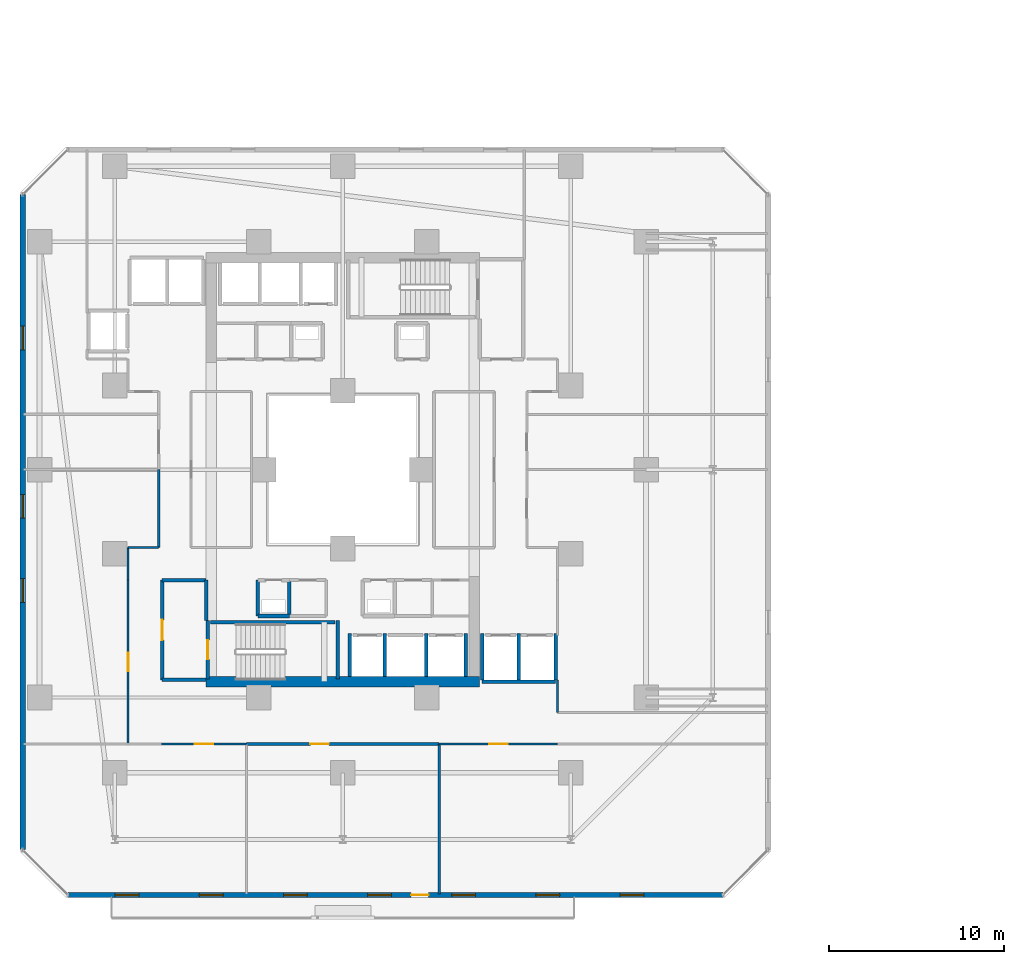
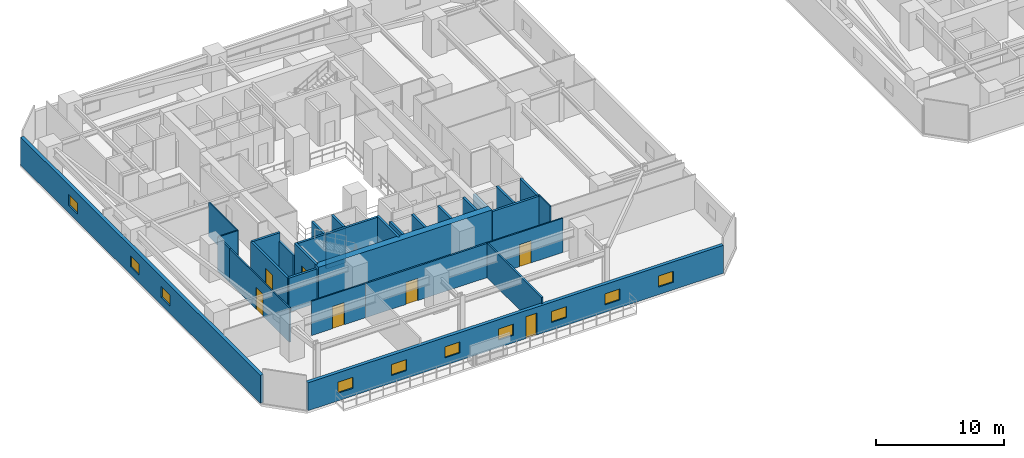
# One storey, part 21 of 36: 30 walls, 10 windows, 7 doors, 17 openings.
"""IFC4 building model written with IfcOpenShell, lengths in metres."""

from ifc_helpers import new_model, si_unit, direction, frame, frame_2d, origin, place, context, subcontext, project, spatial, rectangle, extrude, material, layer, layer_set, type_object, element, fill, save


model = new_model("IFC4")

# Units and contexts
model_context = context("Model", 3, precision=1e-05, world=origin(), true_north=direction((0.0, 1.0)))
body_context = subcontext(model_context, "Body", "Model", "MODEL_VIEW")
ifc_project = project(units=[si_unit("LENGTHUNIT", "METRE"), si_unit("AREAUNIT", "SQUARE_METRE"), si_unit("VOLUMEUNIT", "CUBIC_METRE"), si_unit("PLANEANGLEUNIT", "RADIAN"), si_unit("MASSUNIT", "GRAM", prefix="KILO")], contexts=[model_context])

# Site, building, storey
site_placement = place(None, origin())
site = spatial("IfcSite", under=ifc_project, at=site_placement, CompositionType="ELEMENT")
building_placement = place(site_placement, origin())
building = spatial("IfcBuilding", under=site, at=building_placement, Name="Thornwick Lancets Civic Towers", CompositionType="ELEMENT")
storey_placement = place(building_placement, frame((0.0, 0.0, 68.10009765625)))
storey = spatial("IfcBuildingStorey", under=building, at=storey_placement, Name="L17", CompositionType="ELEMENT", Elevation=68.10009765625)

# Walls
ifc_material_1 = material(Name="Concrete blockwork C40/50", Category="masonry")
ifc_layer_1 = layer(ifc_material_1, 0.199951171875, Name="Concrete blockwork C40/50")
ifc_layer_set_1 = layer_set([ifc_layer_1], Name="Concrete blockwork C40/50")
wall_type_1 = type_object("IfcWallType", Name="WALL_COMP_200", PredefinedType="STANDARD", material=ifc_layer_set_1)
for number, where, z_axis, x_axis, name in (
    (1, (27.89990234375, 15.2119140625, 0.0), (0.0, 0.0, 1.0), (0.0, 1.0, 0.0), "L17 Hoistway Shaft Wall FL-A1 E"),
    (2, (25.89990234375, 15.2119140625, 0.0), (0.0, 0.0, 1.0), (0.0, 1.0, 0.0), "L17 Hoistway Shaft Wall FL-A1 W"),
    (3, (30.25, 15.2119140625, 0.0), (0.0, 0.0, 1.0), (0.0, 1.0, 0.0), "L17 Hoistway Shaft Wall PL-AH1 E"),
    (4, (32.5, 15.2119140625, 0.0), (0.0, 0.0, 1.0), (0.0, 1.0, 0.0), "L17 Hoistway Shaft Wall PL-AL1 E"),
):
    element("IfcWall", number, at=place(storey_placement, frame(where, z_axis=z_axis, x_axis=x_axis)), inside=storey, type_object=wall_type_1, Name=name, PredefinedType="STANDARD", context=body_context, shape_type="SweptSolid", body=[
        extrude(rectangle(XDim=2.43603515625, YDim=0.199951171875, at=frame_2d((1.218017578125, 0.0))), origin(), (0.0, 0.0, 1.0), 3.260009765625),
    ])
wall_1_placement = place(storey_placement, frame((33.451904296875, 14.89990234375, 0.0), z_axis=(0.0, 0.0, 1.0), x_axis=(1.0, 0.0, 0.0)))
element("IfcWall", 5, at=wall_1_placement, inside=storey, type_object=wall_type_1, Name="L17 Hoistway Shaft Wall PL-AL2 S", PredefinedType="STANDARD", context=body_context, shape_type="SweptSolid", body=[
    extrude(rectangle(XDim=4.196044921875, YDim=0.199951171875, at=frame_2d((2.09814453125, 0.0))), origin(), (0.0, 0.0, 1.0), 3.260009765625),
])
for number, where, z_axis, x_axis, name in (
    (6, (35.52490234375, 15.011962890625, 0.0), (0.0, 0.0, 1.0), (0.0, 1.0, 0.0), "L17 Hoistway Shaft Wall PL-AL2 E"),
    (7, (33.449951171875, 15.011962890625, 0.0), (0.0, 0.0, 1.0), (0.0, 1.0, 0.0), "L17 Hoistway Shaft Wall PL-AL2 W"),
    (8, (37.64990234375, 15.011962890625, 0.0), (0.0, 0.0, 1.0), (0.0, 1.0, 0.0), "L17 Hoistway Shaft Wall PL-AL3 E"),
):
    element("IfcWall", number, at=place(storey_placement, frame(where, z_axis=z_axis, x_axis=x_axis)), inside=storey, type_object=wall_type_1, Name=name, PredefinedType="STANDARD", context=body_context, shape_type="SweptSolid", body=[
        extrude(rectangle(XDim=2.635986328125, YDim=0.199951171875, at=frame_2d((1.31787109375, 0.0))), origin(), (0.0, 0.0, 1.0), 3.260009765625),
    ])
wall_2_placement = place(storey_placement, frame((15.199951171875, 15.0, 0.0), z_axis=(0.0, 0.0, 1.0), x_axis=(1.0, 0.0, 0.0)))
element("IfcWall", 9, at=wall_2_placement, inside=storey, type_object=wall_type_1, Name="L17 Partition L17-A-FFLOB1 E1", PredefinedType="STANDARD", context=body_context, shape_type="SweptSolid", body=[
    extrude(rectangle(XDim=2.5, YDim=0.199951171875, at=frame_2d((1.25, 0.0))), origin(), (0.0, 0.0, 1.0), 3.260009765625),
])
wall_3_placement = place(storey_placement, frame((17.699951171875, 18.39990234375, 0.0), z_axis=(0.0, 0.0, 1.0), x_axis=(0.0, 1.0, 0.0)))
element("IfcWall", 10, at=wall_3_placement, inside=storey, type_object=wall_type_1, Name="L17 Partition L17-A-FFLOB1 E2", PredefinedType="STANDARD", context=body_context, shape_type="SweptSolid", body=[
    extrude(rectangle(XDim=2.300048828125, YDim=0.199951171875, at=frame_2d((1.14990234375, 0.0))), origin(), (0.0, 0.0, 1.0), 2.46484375),
])
wall_4_placement = place(storey_placement, frame((17.699951171875, 20.699951171875, 0.0), z_axis=(0.0, 0.0, 1.0), x_axis=(-1.0, 0.0, 0.0)))
element("IfcWall", 11, at=wall_4_placement, inside=storey, type_object=wall_type_1, Name="L17 Partition L17-A-FFLOB1 E3", PredefinedType="STANDARD", context=body_context, shape_type="SweptSolid", body=[
    extrude(rectangle(XDim=2.5, YDim=0.199951171875, at=frame_2d((1.25, 0.0))), origin(), (0.0, 0.0, 1.0), 3.260009765625),
])

# Wall, opening, door
wall_5_placement = place(storey_placement, frame((15.199951171875, 20.699951171875, 0.0), z_axis=(0.0, 0.0, 1.0), x_axis=(0.0, -1.0, 0.0)))
wall_5 = element("IfcWall", 12, at=wall_5_placement, inside=storey, type_object=wall_type_1, Name="L17 Partition L17-A-FFLOB1 E4", PredefinedType="STANDARD", context=body_context, shape_type="SweptSolid", body=[
    extrude(rectangle(XDim=5.699951171875, YDim=0.199951171875, at=frame_2d((2.85009765625, 0.0))), origin(), (0.0, 0.0, 1.0), 3.260009765625),
])
opening_1_placement = place(wall_5_placement, frame((2.27490234375, 0.0, 0.0)))
opening_1 = element("IfcOpeningElement", 13, at=opening_1_placement, cuts=wall_5, Name="Opening D-L17-0801", PredefinedType="OPENING", context=body_context, shape_type="SweptSolid", body=[
    extrude(rectangle(XDim=1.14990234375, YDim=2.10009765625, at=frame_2d((0.574951171875, 1.050048828125))), frame((0.0, 0.10986328125, 0.0), z_axis=(0.0, -1.0, 0.0), x_axis=(1.0, 0.0, 0.0)), (0.0, 0.0, 1.0), 0.219970703125),
])
ifc_material_2 = material(Name="Glazed fire-resisting steel", Category="steel")
door_type_1 = type_object("IfcDoorType", Name="DOOR_LOBBY_FD60", OperationType="NOTDEFINED", PredefinedType="DOOR", material=ifc_material_2)
door_1_placement = place(opening_1_placement, origin())
door_1 = element("IfcDoor", 14, at=door_1_placement, inside=storey, type_object=door_type_1, Name="L17 South Firefighting Lobby 1 Door", OperationType="SINGLE_SWING_RIGHT", OverallHeight=2.10009765625, OverallWidth=1.14990234375, PredefinedType="DOOR", context=body_context, shape_type="SweptSolid", body=[
    extrude(rectangle(XDim=1.14990234375, YDim=2.10009765625, at=frame_2d((0.574951171875, 1.050048828125))), frame((0.0, 0.02490234375, 0.0), z_axis=(0.0, -1.0, 0.0), x_axis=(1.0, 0.0, 0.0)), (0.0, 0.0, 1.0), 0.050048828125),
])
fill(opening_1, door_1)

# Walls
wall_6_placement = place(storey_placement, frame((20.64990234375, 18.64990234375, 0.0), z_axis=(0.0, 0.0, 1.0), x_axis=(1.0, 0.0, 0.0)))
element("IfcWall", 15, at=wall_6_placement, inside=storey, type_object=wall_type_1, Name="L17 Partition L17-A-RISER1 E1", PredefinedType="STANDARD", context=body_context, shape_type="SweptSolid", body=[
    extrude(rectangle(XDim=1.800048828125, YDim=0.199951171875, at=frame_2d((0.89990234375, 0.0))), origin(), (0.0, 0.0, 1.0), 3.260009765625),
])
for number, where, z_axis, x_axis, name in (
    (16, (22.449951171875, 18.64990234375, 0.0), (0.0, 0.0, 1.0), (0.0, 1.0, 0.0), "L17 Partition L17-A-RISER1 E2"),
    (17, (20.64990234375, 20.699951171875, 0.0), (0.0, 0.0, 1.0), (0.0, -1.0, 0.0), "L17 Partition L17-A-RISER1 E4"),
):
    element("IfcWall", number, at=place(storey_placement, frame(where, z_axis=z_axis, x_axis=x_axis)), inside=storey, type_object=wall_type_1, Name=name, PredefinedType="STANDARD", context=body_context, shape_type="SweptSolid", body=[
        extrude(rectangle(XDim=2.050048828125, YDim=0.199951171875, at=frame_2d((1.02490234375, 0.0))), origin(), (0.0, 0.0, 1.0), 3.260009765625),
    ])
ifc_material_3 = material(Name="Concrete C60/75", Category="concrete")
ifc_layer_2 = layer(ifc_material_3, 0.60009765625, Name="Concrete C60/75")
ifc_layer_set_2 = layer_set([ifc_layer_2], Name="Concrete C60/75")
wall_type_2 = type_object("IfcWallType", Name="WALL_CORE_600", PredefinedType="SHEAR", material=ifc_layer_set_2)
wall_7_placement = place(storey_placement, frame((17.699951171875, 14.89990234375, 0.0), z_axis=(0.0, 0.0, 1.0), x_axis=(1.0, 0.0, 0.0)))
element("IfcWall", 18, at=wall_7_placement, inside=storey, type_object=wall_type_2, Name="L17 Split Core A1 Shear Wall S", PredefinedType="SHEAR", context=body_context, shape_type="SweptSolid", body=[
    extrude(rectangle(XDim=15.60009765625, YDim=0.60009765625, at=frame_2d((7.800048828125, 0.0))), origin(), (0.0, 0.0, 1.0), 3.599853515625),
])

# Wall, openings, door, windows
ifc_material_4 = material(Name="Insulated russet terracotta rainscreen on concrete C40/50", Category="masonry")
ifc_layer_3 = layer(ifc_material_4, 0.300048828125, Name="Insulated russet terracotta rainscreen on concrete C40/50")
ifc_layer_set_3 = layer_set([ifc_layer_3], Name="Insulated russet terracotta rainscreen on concrete C40/50")
wall_type_3 = type_object("IfcWallType", Name="WALL_EXT_RUSSET_300", PredefinedType="STANDARD", material=ifc_layer_set_3)
wall_8_placement = place(storey_placement, frame((9.81884765625, 2.735107421875, 0.0), z_axis=(0.0, 0.0, 1.0), x_axis=(1.0, 0.0, 0.0)))
wall_8 = element("IfcWall", 19, at=wall_8_placement, inside=storey, type_object=wall_type_3, Name="L17 Tower A Terracotta Facade Wall E0", PredefinedType="STANDARD", context=body_context, shape_type="SweptSolid", body=[
    extrude(rectangle(XDim=37.3623046875, YDim=0.300048828125, at=frame_2d((18.68115234375, 0.0))), origin(), (0.0, 0.0, 1.0), 2.659912109375),
])
opening_2_placement = place(wall_8_placement, frame((19.581298828125, 0.0, 0.0)))
opening_2 = element("IfcOpeningElement", 20, at=opening_2_placement, cuts=wall_8, Name="Opening D-BL-L17-AS", PredefinedType="OPENING", context=body_context, shape_type="SweptSolid", body=[
    extrude(rectangle(XDim=1.0, YDim=2.080078125, at=frame_2d((0.5, 1.0400390625))), frame((0.0, 0.16015625, 0.0), z_axis=(0.0, -1.0, 0.0), x_axis=(1.0, 0.0, 0.0)), (0.0, 0.0, 1.0), 0.320068359375),
])
opening_3_placement = place(wall_8_placement, frame((2.699951171875, 0.0, 0.719970703125)))
opening_3 = element("IfcOpeningElement", 21, at=opening_3_placement, cuts=wall_8, Name="Opening WL-03", PredefinedType="OPENING", context=body_context, shape_type="SweptSolid", body=[
    extrude(rectangle(XDim=1.35009765625, YDim=1.050048828125, at=frame_2d((0.675048828125, 0.52490234375))), frame((0.0, 0.16015625, 0.0), z_axis=(0.0, -1.0, 0.0), x_axis=(1.0, 0.0, 0.0)), (0.0, 0.0, 1.0), 0.320068359375),
])
opening_4_placement = place(wall_8_placement, frame((7.5, 0.0, 0.719970703125)))
opening_4 = element("IfcOpeningElement", 22, at=opening_4_placement, cuts=wall_8, Name="Opening WL-03", PredefinedType="OPENING", context=body_context, shape_type="SweptSolid", body=[
    extrude(rectangle(XDim=1.35009765625, YDim=1.050048828125, at=frame_2d((0.675048828125, 0.52490234375))), frame((0.0, 0.16015625, 0.0), z_axis=(0.0, -1.0, 0.0), x_axis=(1.0, 0.0, 0.0)), (0.0, 0.0, 1.0), 0.320068359375),
])
opening_5_placement = place(wall_8_placement, frame((12.300048828125, 0.0, 0.719970703125)))
opening_5 = element("IfcOpeningElement", 23, at=opening_5_placement, cuts=wall_8, Name="Opening WL-03", PredefinedType="OPENING", context=body_context, shape_type="SweptSolid", body=[
    extrude(rectangle(XDim=1.35009765625, YDim=1.050048828125, at=frame_2d((0.675048828125, 0.52490234375))), frame((0.0, 0.16015625, 0.0), z_axis=(0.0, -1.0, 0.0), x_axis=(1.0, 0.0, 0.0)), (0.0, 0.0, 1.0), 0.320068359375),
])
opening_6_placement = place(wall_8_placement, frame((17.10009765625, 0.0, 0.719970703125)))
opening_6 = element("IfcOpeningElement", 24, at=opening_6_placement, cuts=wall_8, Name="Opening WL-03", PredefinedType="OPENING", context=body_context, shape_type="SweptSolid", body=[
    extrude(rectangle(XDim=1.35009765625, YDim=1.050048828125, at=frame_2d((0.675048828125, 0.52490234375))), frame((0.0, 0.16015625, 0.0), z_axis=(0.0, -1.0, 0.0), x_axis=(1.0, 0.0, 0.0)), (0.0, 0.0, 1.0), 0.320068359375),
])
opening_7_placement = place(wall_8_placement, frame((21.89990234375, 0.0, 0.719970703125)))
opening_7 = element("IfcOpeningElement", 25, at=opening_7_placement, cuts=wall_8, Name="Opening WL-03", PredefinedType="OPENING", context=body_context, shape_type="SweptSolid", body=[
    extrude(rectangle(XDim=1.35009765625, YDim=1.050048828125, at=frame_2d((0.675048828125, 0.52490234375))), frame((0.0, 0.16015625, 0.0), z_axis=(0.0, -1.0, 0.0), x_axis=(1.0, 0.0, 0.0)), (0.0, 0.0, 1.0), 0.320068359375),
])
opening_8_placement = place(wall_8_placement, frame((26.699951171875, 0.0, 0.719970703125)))
opening_8 = element("IfcOpeningElement", 26, at=opening_8_placement, cuts=wall_8, Name="Opening WL-03", PredefinedType="OPENING", context=body_context, shape_type="SweptSolid", body=[
    extrude(rectangle(XDim=1.35009765625, YDim=1.050048828125, at=frame_2d((0.675048828125, 0.52490234375))), frame((0.0, 0.16015625, 0.0), z_axis=(0.0, -1.0, 0.0), x_axis=(1.0, 0.0, 0.0)), (0.0, 0.0, 1.0), 0.320068359375),
])
opening_9_placement = place(wall_8_placement, frame((31.5, 0.0, 0.719970703125)))
opening_9 = element("IfcOpeningElement", 27, at=opening_9_placement, cuts=wall_8, Name="Opening WL-03", PredefinedType="OPENING", context=body_context, shape_type="SweptSolid", body=[
    extrude(rectangle(XDim=1.35009765625, YDim=1.050048828125, at=frame_2d((0.675048828125, 0.52490234375))), frame((0.0, 0.16015625, 0.0), z_axis=(0.0, -1.0, 0.0), x_axis=(1.0, 0.0, 0.0)), (0.0, 0.0, 1.0), 0.320068359375),
])
ifc_material_5 = material(Name="Thermally broken glazed loggia doorset")
door_type_2 = type_object("IfcDoorType", Name="DOOR_BALC_1000", OperationType="NOTDEFINED", PredefinedType="DOOR", material=ifc_material_5)
door_2_placement = place(opening_2_placement, origin())
door_2 = element("IfcDoor", 28, at=door_2_placement, inside=storey, type_object=door_type_2, Name="L17 Tower A Loggia Balcony Door S", OperationType="SINGLE_SWING_RIGHT", OverallHeight=2.080078125, OverallWidth=1.0, PredefinedType="DOOR", context=body_context, shape_type="SweptSolid", body=[
    extrude(rectangle(XDim=1.0, YDim=2.080078125, at=frame_2d((0.5, 1.0400390625))), frame((0.0, 0.02490234375, 0.0), z_axis=(0.0, -1.0, 0.0), x_axis=(1.0, 0.0, 0.0)), (0.0, 0.0, 1.0), 0.050048828125),
])
fill(opening_2, door_2)
ifc_material_6 = material(Name="Clear low-e double glazing clerestory lancet", Category="glass")
window_type = type_object("IfcWindowType", Name="WIN_LANCET_1350", PartitioningType="SINGLE_PANEL", PredefinedType="WINDOW", material=ifc_material_6)
window_1_placement = place(opening_3_placement, origin())
window_1 = element("IfcWindow", 29, at=window_1_placement, inside=storey, type_object=window_type, Name="L17 Tower A Staggered Lancet Window E0-1", OverallHeight=1.050048828125, OverallWidth=1.35009765625, PartitioningType="SINGLE_PANEL", PredefinedType="WINDOW", context=body_context, shape_type="SweptSolid", body=[
    extrude(rectangle(XDim=1.35009765625, YDim=1.050048828125, at=frame_2d((0.675048828125, 0.52490234375))), frame((0.0, 0.030029296875, 0.0), z_axis=(0.0, -1.0, 0.0), x_axis=(1.0, 0.0, 0.0)), (0.0, 0.0, 1.0), 0.06005859375),
])
fill(opening_3, window_1)
window_2_placement = place(opening_4_placement, origin())
window_2 = element("IfcWindow", 30, at=window_2_placement, inside=storey, type_object=window_type, Name="L17 Tower A Staggered Lancet Window E0-2", OverallHeight=1.050048828125, OverallWidth=1.35009765625, PartitioningType="SINGLE_PANEL", PredefinedType="WINDOW", context=body_context, shape_type="SweptSolid", body=[
    extrude(rectangle(XDim=1.35009765625, YDim=1.050048828125, at=frame_2d((0.675048828125, 0.52490234375))), frame((0.0, 0.030029296875, 0.0), z_axis=(0.0, -1.0, 0.0), x_axis=(1.0, 0.0, 0.0)), (0.0, 0.0, 1.0), 0.06005859375),
])
fill(opening_4, window_2)
window_3_placement = place(opening_5_placement, origin())
window_3 = element("IfcWindow", 31, at=window_3_placement, inside=storey, type_object=window_type, Name="L17 Tower A Staggered Lancet Window E0-3", OverallHeight=1.050048828125, OverallWidth=1.35009765625, PartitioningType="SINGLE_PANEL", PredefinedType="WINDOW", context=body_context, shape_type="SweptSolid", body=[
    extrude(rectangle(XDim=1.35009765625, YDim=1.050048828125, at=frame_2d((0.675048828125, 0.52490234375))), frame((0.0, 0.030029296875, 0.0), z_axis=(0.0, -1.0, 0.0), x_axis=(1.0, 0.0, 0.0)), (0.0, 0.0, 1.0), 0.06005859375),
])
fill(opening_5, window_3)
window_4_placement = place(opening_6_placement, origin())
window_4 = element("IfcWindow", 32, at=window_4_placement, inside=storey, type_object=window_type, Name="L17 Tower A Staggered Lancet Window E0-4", OverallHeight=1.050048828125, OverallWidth=1.35009765625, PartitioningType="SINGLE_PANEL", PredefinedType="WINDOW", context=body_context, shape_type="SweptSolid", body=[
    extrude(rectangle(XDim=1.35009765625, YDim=1.050048828125, at=frame_2d((0.675048828125, 0.52490234375))), frame((0.0, 0.030029296875, 0.0), z_axis=(0.0, -1.0, 0.0), x_axis=(1.0, 0.0, 0.0)), (0.0, 0.0, 1.0), 0.06005859375),
])
fill(opening_6, window_4)
window_5_placement = place(opening_7_placement, origin())
window_5 = element("IfcWindow", 33, at=window_5_placement, inside=storey, type_object=window_type, Name="L17 Tower A Staggered Lancet Window E0-5", OverallHeight=1.050048828125, OverallWidth=1.35009765625, PartitioningType="SINGLE_PANEL", PredefinedType="WINDOW", context=body_context, shape_type="SweptSolid", body=[
    extrude(rectangle(XDim=1.35009765625, YDim=1.050048828125, at=frame_2d((0.675048828125, 0.52490234375))), frame((0.0, 0.030029296875, 0.0), z_axis=(0.0, -1.0, 0.0), x_axis=(1.0, 0.0, 0.0)), (0.0, 0.0, 1.0), 0.06005859375),
])
fill(opening_7, window_5)
window_6_placement = place(opening_8_placement, origin())
window_6 = element("IfcWindow", 34, at=window_6_placement, inside=storey, type_object=window_type, Name="L17 Tower A Staggered Lancet Window E0-6", OverallHeight=1.050048828125, OverallWidth=1.35009765625, PartitioningType="SINGLE_PANEL", PredefinedType="WINDOW", context=body_context, shape_type="SweptSolid", body=[
    extrude(rectangle(XDim=1.35009765625, YDim=1.050048828125, at=frame_2d((0.675048828125, 0.52490234375))), frame((0.0, 0.030029296875, 0.0), z_axis=(0.0, -1.0, 0.0), x_axis=(1.0, 0.0, 0.0)), (0.0, 0.0, 1.0), 0.06005859375),
])
fill(opening_8, window_6)
window_7_placement = place(opening_9_placement, origin())
window_7 = element("IfcWindow", 35, at=window_7_placement, inside=storey, type_object=window_type, Name="L17 Tower A Staggered Lancet Window E0-7", OverallHeight=1.050048828125, OverallWidth=1.35009765625, PartitioningType="SINGLE_PANEL", PredefinedType="WINDOW", context=body_context, shape_type="SweptSolid", body=[
    extrude(rectangle(XDim=1.35009765625, YDim=1.050048828125, at=frame_2d((0.675048828125, 0.52490234375))), frame((0.0, 0.030029296875, 0.0), z_axis=(0.0, -1.0, 0.0), x_axis=(1.0, 0.0, 0.0)), (0.0, 0.0, 1.0), 0.06005859375),
])
fill(opening_9, window_7)

# Wall, openings, windows
wall_9_placement = place(storey_placement, frame((7.235107421875, 42.68115234375, 0.0), z_axis=(0.0, 0.0, 1.0), x_axis=(0.0, -1.0, 0.0)))
wall_9 = element("IfcWall", 36, at=wall_9_placement, inside=storey, type_object=wall_type_3, Name="L17 Tower A Terracotta Facade Wall E6", PredefinedType="STANDARD", context=body_context, shape_type="SweptSolid", body=[
    extrude(rectangle(XDim=37.3623046875, YDim=0.300048828125, at=frame_2d((18.68115234375, 0.0))), origin(), (0.0, 0.0, 1.0), 2.659912109375),
])
opening_10_placement = place(wall_9_placement, frame((7.5, 0.0, 0.719970703125)))
opening_10 = element("IfcOpeningElement", 37, at=opening_10_placement, cuts=wall_9, Name="Opening WL-03", PredefinedType="OPENING", context=body_context, shape_type="SweptSolid", body=[
    extrude(rectangle(XDim=1.35009765625, YDim=1.050048828125, at=frame_2d((0.675048828125, 0.52490234375))), frame((0.0, 0.16015625, 0.0), z_axis=(0.0, -1.0, 0.0), x_axis=(1.0, 0.0, 0.0)), (0.0, 0.0, 1.0), 0.320068359375),
])
opening_11_placement = place(wall_9_placement, frame((17.10009765625, 0.0, 0.719970703125)))
opening_11 = element("IfcOpeningElement", 38, at=opening_11_placement, cuts=wall_9, Name="Opening WL-03", PredefinedType="OPENING", context=body_context, shape_type="SweptSolid", body=[
    extrude(rectangle(XDim=1.35009765625, YDim=1.050048828125, at=frame_2d((0.675048828125, 0.52490234375))), frame((0.0, 0.16015625, 0.0), z_axis=(0.0, -1.0, 0.0), x_axis=(1.0, 0.0, 0.0)), (0.0, 0.0, 1.0), 0.320068359375),
])
opening_12_placement = place(wall_9_placement, frame((21.89990234375, 0.0, 0.719970703125)))
opening_12 = element("IfcOpeningElement", 39, at=opening_12_placement, cuts=wall_9, Name="Opening WL-03", PredefinedType="OPENING", context=body_context, shape_type="SweptSolid", body=[
    extrude(rectangle(XDim=1.35009765625, YDim=1.050048828125, at=frame_2d((0.675048828125, 0.52490234375))), frame((0.0, 0.16015625, 0.0), z_axis=(0.0, -1.0, 0.0), x_axis=(1.0, 0.0, 0.0)), (0.0, 0.0, 1.0), 0.320068359375),
])
window_8_placement = place(opening_10_placement, origin())
window_8 = element("IfcWindow", 40, at=window_8_placement, inside=storey, type_object=window_type, Name="L17 Tower A Staggered Lancet Window E6-1", OverallHeight=1.050048828125, OverallWidth=1.35009765625, PartitioningType="SINGLE_PANEL", PredefinedType="WINDOW", context=body_context, shape_type="SweptSolid", body=[
    extrude(rectangle(XDim=1.35009765625, YDim=1.050048828125, at=frame_2d((0.675048828125, 0.52490234375))), frame((0.0, 0.030029296875, 0.0), z_axis=(0.0, -1.0, 0.0), x_axis=(1.0, 0.0, 0.0)), (0.0, 0.0, 1.0), 0.06005859375),
])
fill(opening_10, window_8)
window_9_placement = place(opening_11_placement, origin())
window_9 = element("IfcWindow", 41, at=window_9_placement, inside=storey, type_object=window_type, Name="L17 Tower A Staggered Lancet Window E6-2", OverallHeight=1.050048828125, OverallWidth=1.35009765625, PartitioningType="SINGLE_PANEL", PredefinedType="WINDOW", context=body_context, shape_type="SweptSolid", body=[
    extrude(rectangle(XDim=1.35009765625, YDim=1.050048828125, at=frame_2d((0.675048828125, 0.52490234375))), frame((0.0, 0.030029296875, 0.0), z_axis=(0.0, -1.0, 0.0), x_axis=(1.0, 0.0, 0.0)), (0.0, 0.0, 1.0), 0.06005859375),
])
fill(opening_11, window_9)
window_10_placement = place(opening_12_placement, origin())
window_10 = element("IfcWindow", 42, at=window_10_placement, inside=storey, type_object=window_type, Name="L17 Tower A Staggered Lancet Window E6-3", OverallHeight=1.050048828125, OverallWidth=1.35009765625, PartitioningType="SINGLE_PANEL", PredefinedType="WINDOW", context=body_context, shape_type="SweptSolid", body=[
    extrude(rectangle(XDim=1.35009765625, YDim=1.050048828125, at=frame_2d((0.675048828125, 0.52490234375))), frame((0.0, 0.030029296875, 0.0), z_axis=(0.0, -1.0, 0.0), x_axis=(1.0, 0.0, 0.0)), (0.0, 0.0, 1.0), 0.06005859375),
])
fill(opening_12, window_10)

# Walls
ifc_material_7 = material(Name="Acoustic gypsum board partition")
ifc_layer_4 = layer(ifc_material_7, 0.1201171875, Name="Acoustic gypsum board partition")
ifc_layer_set_4 = layer_set([ifc_layer_4], Name="Acoustic gypsum board partition")
wall_type_4 = type_object("IfcWallType", Name="WALL_PART_120", PredefinedType="PARTITIONING", material=ifc_layer_set_4)
wall_10_placement = place(storey_placement, frame((15.0, 27.0, 0.0), z_axis=(0.0, 0.0, 1.0), x_axis=(0.0, -1.0, 0.0)))
element("IfcWall", 43, at=wall_10_placement, inside=storey, type_object=wall_type_4, Name="L17 Partition L17-A-W1 E1", PredefinedType="PARTITIONING", context=body_context, shape_type="SweptSolid", body=[
    extrude(rectangle(XDim=4.449951171875, YDim=0.1201171875, at=frame_2d((2.22509765625, 0.0))), origin(), (0.0, 0.0, 1.0), 3.260009765625),
])
wall_11_placement = place(storey_placement, frame((15.0, 22.550048828125, 0.0), z_axis=(0.0, 0.0, 1.0), x_axis=(-1.0, 0.0, 0.0)))
element("IfcWall", 44, at=wall_11_placement, inside=storey, type_object=wall_type_4, Name="L17 Partition L17-A-W1 E2", PredefinedType="PARTITIONING", context=body_context, shape_type="SweptSolid", body=[
    extrude(rectangle(XDim=1.75, YDim=0.1201171875, at=frame_2d((0.875, 0.0))), origin(), (0.0, 0.0, 1.0), 3.260009765625),
])
wall_12_placement = place(storey_placement, frame((13.25, 22.550048828125, 0.0), z_axis=(0.0, 0.0, 1.0), x_axis=(0.0, -1.0, 0.0)))
element("IfcWall", 45, at=wall_12_placement, inside=storey, type_object=wall_type_4, Name="L17 Partition L17-A-W1 E3", PredefinedType="PARTITIONING", context=body_context, shape_type="SweptSolid", body=[
    extrude(rectangle(XDim=1.85009765625, YDim=0.1201171875, at=frame_2d((0.925048828125, 0.0))), origin(), (0.0, 0.0, 1.0), 3.260009765625),
])

# Wall, opening, door
wall_13_placement = place(storey_placement, frame((13.25, 20.699951171875, 0.0), z_axis=(0.0, 0.0, 1.0), x_axis=(0.0, -1.0, 0.0)))
wall_13 = element("IfcWall", 46, at=wall_13_placement, inside=storey, type_object=wall_type_4, Name="L17 Partition L17-A-W1 E4", PredefinedType="PARTITIONING", context=body_context, shape_type="SweptSolid", body=[
    extrude(rectangle(XDim=9.349853515625, YDim=0.1201171875, at=frame_2d((4.6748046875, 0.0))), origin(), (0.0, 0.0, 1.0), 3.260009765625),
])
opening_13_placement = place(wall_13_placement, frame((4.14990234375, 0.0, 0.0)))
opening_13 = element("IfcOpeningElement", 47, at=opening_13_placement, cuts=wall_13, Name="Opening D-L17-0823", PredefinedType="OPENING", context=body_context, shape_type="SweptSolid", body=[
    extrude(rectangle(XDim=1.050048828125, YDim=2.10009765625, at=frame_2d((0.52490234375, 1.050048828125))), frame((0.0, 0.070068359375, 0.0), z_axis=(0.0, -1.0, 0.0), x_axis=(1.0, 0.0, 0.0)), (0.0, 0.0, 1.0), 0.14013671875),
])
ifc_material_8 = material(Name="Glazed European oak executive doorset")
door_type_3 = type_object("IfcDoorType", Name="DOOR_OFFICE_1050", OperationType="NOTDEFINED", PredefinedType="DOOR", material=ifc_material_8)
door_3_placement = place(opening_13_placement, origin())
door_3 = element("IfcDoor", 48, at=door_3_placement, inside=storey, type_object=door_type_3, Name="L17 Tower A Ministry Directorate Office W1 Door", OperationType="SINGLE_SWING_RIGHT", OverallHeight=2.10009765625, OverallWidth=1.050048828125, PredefinedType="DOOR", context=body_context, shape_type="SweptSolid", body=[
    extrude(rectangle(XDim=1.050048828125, YDim=2.10009765625, at=frame_2d((0.52490234375, 1.050048828125))), frame((0.0, 0.02490234375, 0.0), z_axis=(0.0, -1.0, 0.0), x_axis=(1.0, 0.0, 0.0)), (0.0, 0.0, 1.0), 0.050048828125),
])
fill(opening_13, door_3)

# Wall
wall_14_placement = place(storey_placement, frame((37.75, 13.14990234375, 0.0), z_axis=(0.0, 0.0, 1.0), x_axis=(0.0, 1.0, 0.0)))
element("IfcWall", 49, at=wall_14_placement, inside=storey, type_object=wall_type_4, Name="L17 Partition L17-A-E1 E12", PredefinedType="PARTITIONING", context=body_context, shape_type="SweptSolid", body=[
    extrude(rectangle(XDim=1.862060546875, YDim=0.1201171875, at=frame_2d((0.93115234375, 0.0))), origin(), (0.0, 0.0, 1.0), 3.260009765625),
])

# Wall, opening, door
wall_15_placement = place(storey_placement, frame((15.14990234375, 11.35009765625, 0.0), z_axis=(0.0, 0.0, 1.0), x_axis=(1.0, 0.0, 0.0)))
wall_15 = element("IfcWall", 50, at=wall_15_placement, inside=storey, type_object=wall_type_4, Name="L17 Partition L17-A-S-OFF1 E2", PredefinedType="PARTITIONING", context=body_context, shape_type="SweptSolid", body=[
    extrude(rectangle(XDim=4.85009765625, YDim=0.1201171875, at=frame_2d((2.425048828125, 0.0))), origin(), (0.0, 0.0, 1.0), 3.260009765625),
])
opening_14_placement = place(wall_15_placement, frame((1.89990234375, 0.0, 0.0)))
opening_14 = element("IfcOpeningElement", 51, at=opening_14_placement, cuts=wall_15, Name="Opening D-L17-0831", PredefinedType="OPENING", context=body_context, shape_type="SweptSolid", body=[
    extrude(rectangle(XDim=1.050048828125, YDim=2.10009765625, at=frame_2d((0.52490234375, 1.050048828125))), frame((0.0, 0.070068359375, 0.0), z_axis=(0.0, -1.0, 0.0), x_axis=(1.0, 0.0, 0.0)), (0.0, 0.0, 1.0), 0.14013671875),
])
door_4_placement = place(opening_14_placement, origin())
door_4 = element("IfcDoor", 52, at=door_4_placement, inside=storey, type_object=door_type_3, Name="L17 Tower A South-West Division Office Door", OperationType="SINGLE_SWING_RIGHT", OverallHeight=2.10009765625, OverallWidth=1.050048828125, PredefinedType="DOOR", context=body_context, shape_type="SweptSolid", body=[
    extrude(rectangle(XDim=1.050048828125, YDim=2.10009765625, at=frame_2d((0.52490234375, 1.050048828125))), frame((0.0, 0.02490234375, 0.0), z_axis=(0.0, -1.0, 0.0), x_axis=(1.0, 0.0, 0.0)), (0.0, 0.0, 1.0), 0.050048828125),
])
fill(opening_14, door_4)

wall_16_placement = place(storey_placement, frame((31.0, 11.35009765625, 0.0), z_axis=(0.0, 0.0, 1.0), x_axis=(1.0, 0.0, 0.0)))
wall_16 = element("IfcWall", 53, at=wall_16_placement, inside=storey, type_object=wall_type_4, Name="L17 Partition L17-A-S-OFF2 E3", PredefinedType="PARTITIONING", context=body_context, shape_type="SweptSolid", body=[
    extrude(rectangle(XDim=6.75, YDim=0.1201171875, at=frame_2d((3.375, 0.0))), origin(), (0.0, 0.0, 1.0), 3.260009765625),
])
opening_15_placement = place(wall_16_placement, frame((2.85009765625, 0.0, 0.0)))
opening_15 = element("IfcOpeningElement", 54, at=opening_15_placement, cuts=wall_16, Name="Opening D-L17-0833", PredefinedType="OPENING", context=body_context, shape_type="SweptSolid", body=[
    extrude(rectangle(XDim=1.050048828125, YDim=2.10009765625, at=frame_2d((0.52490234375, 1.050048828125))), frame((0.0, 0.070068359375, 0.0), z_axis=(0.0, -1.0, 0.0), x_axis=(1.0, 0.0, 0.0)), (0.0, 0.0, 1.0), 0.14013671875),
])
door_5_placement = place(opening_15_placement, origin())
door_5 = element("IfcDoor", 55, at=door_5_placement, inside=storey, type_object=door_type_3, Name="L17 Tower A South-East Division Office Door", OperationType="SINGLE_SWING_RIGHT", OverallHeight=2.10009765625, OverallWidth=1.050048828125, PredefinedType="DOOR", context=body_context, shape_type="SweptSolid", body=[
    extrude(rectangle(XDim=1.050048828125, YDim=2.10009765625, at=frame_2d((0.52490234375, 1.050048828125))), frame((0.0, 0.02490234375, 0.0), z_axis=(0.0, -1.0, 0.0), x_axis=(1.0, 0.0, 0.0)), (0.0, 0.0, 1.0), 0.050048828125),
])
fill(opening_15, door_5)

# Wall
ifc_material_9 = material(Name="Twin-stud acoustic gypsum board")
ifc_layer_5 = layer(ifc_material_9, 0.14990234375, Name="Twin-stud acoustic gypsum board")
ifc_layer_set_5 = layer_set([ifc_layer_5], Name="Twin-stud acoustic gypsum board")
wall_type_5 = type_object("IfcWallType", Name="WALL_PART_150", PredefinedType="PARTITIONING", material=ifc_layer_set_5)
wall_17_placement = place(storey_placement, frame((31.0, 11.35009765625, 0.0), z_axis=(0.0, 0.0, 1.0), x_axis=(0.0, -1.0, 0.0)))
element("IfcWall", 56, at=wall_17_placement, inside=storey, type_object=wall_type_5, Name="L17 Partition L17-A-S-ARCH E1", PredefinedType="PARTITIONING", context=body_context, shape_type="SweptSolid", body=[
    extrude(rectangle(XDim=8.570068359375, YDim=0.14990234375, at=frame_2d((4.28515625, 0.0))), origin(), (0.0, 0.0, 1.0), 3.260009765625),
])

# Wall, opening, door
wall_18_placement = place(storey_placement, frame((20.0, 11.35009765625, 0.0), z_axis=(0.0, 0.0, 1.0), x_axis=(1.0, 0.0, 0.0)))
wall_18 = element("IfcWall", 57, at=wall_18_placement, inside=storey, type_object=wall_type_5, Name="L17 Partition L17-A-S-ARCH E4", PredefinedType="PARTITIONING", context=body_context, shape_type="SweptSolid", body=[
    extrude(rectangle(XDim=11.0, YDim=0.14990234375, at=frame_2d((5.5, 0.0))), origin(), (0.0, 0.0, 1.0), 3.260009765625),
])
opening_16_placement = place(wall_18_placement, frame((3.655029296875, 0.0, 0.0)))
opening_16 = element("IfcOpeningElement", 58, at=opening_16_placement, cuts=wall_18, Name="Opening D-L17-0832", PredefinedType="OPENING", context=body_context, shape_type="SweptSolid", body=[
    extrude(rectangle(XDim=1.050048828125, YDim=2.10009765625, at=frame_2d((0.52490234375, 1.050048828125))), frame((0.0, 0.0849609375, 0.0), z_axis=(0.0, -1.0, 0.0), x_axis=(1.0, 0.0, 0.0)), (0.0, 0.0, 1.0), 0.169921875),
])
door_6_placement = place(opening_16_placement, origin())
door_6 = element("IfcDoor", 59, at=door_6_placement, inside=storey, type_object=door_type_3, Name="L17 Tower A Registry and Records Archive Door", OperationType="SINGLE_SWING_LEFT", OverallHeight=2.10009765625, OverallWidth=1.050048828125, PredefinedType="DOOR", context=body_context, shape_type="SweptSolid", body=[
    extrude(rectangle(XDim=1.050048828125, YDim=2.10009765625, at=frame_2d((0.52490234375, 1.050048828125))), frame((0.0, 0.02490234375, 0.0), z_axis=(0.0, -1.0, 0.0), x_axis=(1.0, 0.0, 0.0)), (0.0, 0.0, 1.0), 0.050048828125),
])
fill(opening_16, door_6)

ifc_material_10 = material(Name="Concrete C40/50", Category="concrete")
ifc_layer_6 = layer(ifc_material_10, 0.199951171875, Name="Concrete C40/50")
ifc_layer_set_6 = layer_set([ifc_layer_6], Name="Concrete C40/50")
wall_type_6 = type_object("IfcWallType", Name="WALL_SHAFT_200", PredefinedType="SHEAR", material=ifc_layer_set_6)
wall_19_placement = place(storey_placement, frame((17.800048828125, 15.050048828125, 0.0), z_axis=(0.0, 0.0, 1.0), x_axis=(0.0, 1.0, 0.0)))
wall_19 = element("IfcWall", 60, at=wall_19_placement, inside=storey, type_object=wall_type_6, Name="L17 ST-A1 Fire Stair Core Wall NEAR", PredefinedType="SHEAR", context=body_context, shape_type="SweptSolid", body=[
    extrude(rectangle(XDim=3.349853515625, YDim=0.199951171875, at=frame_2d((1.6748046875, 0.0))), origin(), (0.0, 0.0, 1.0), 3.599853515625),
])
opening_17_placement = place(wall_19_placement, frame((1.125, 0.0, 0.0)))
opening_17 = element("IfcOpeningElement", 61, at=opening_17_placement, cuts=wall_19, Name="Opening D-ST-A1-L17", PredefinedType="OPENING", context=body_context, shape_type="SweptSolid", body=[
    extrude(rectangle(XDim=1.10009765625, YDim=2.10009765625, at=frame_2d((0.550048828125, 1.050048828125))), frame((0.0, 0.10986328125, 0.0), z_axis=(0.0, -1.0, 0.0), x_axis=(1.0, 0.0, 0.0)), (0.0, 0.0, 1.0), 0.219970703125),
])
ifc_material_11 = material(Name="Fire-resisting steel and hardwood", Category="steel")
door_type_4 = type_object("IfcDoorType", Name="DOOR_STAIR_FD60", OperationType="NOTDEFINED", PredefinedType="DOOR", material=ifc_material_11)
door_7_placement = place(opening_17_placement, origin())
door_7 = element("IfcDoor", 62, at=door_7_placement, inside=storey, type_object=door_type_4, Name="L17 ST-A1 Exit Stair Door", OperationType="SINGLE_SWING_RIGHT", OverallHeight=2.10009765625, OverallWidth=1.10009765625, PredefinedType="DOOR", context=body_context, shape_type="SweptSolid", body=[
    extrude(rectangle(XDim=1.10009765625, YDim=2.10009765625, at=frame_2d((0.550048828125, 1.050048828125))), frame((0.0, 0.02490234375, 0.0), z_axis=(0.0, -1.0, 0.0), x_axis=(1.0, 0.0, 0.0)), (0.0, 0.0, 1.0), 0.050048828125),
])
fill(opening_17, door_7)

# Walls
wall_20_placement = place(storey_placement, frame((25.199951171875, 18.39990234375, 0.0), z_axis=(0.0, 0.0, 1.0), x_axis=(0.0, -1.0, 0.0)))
element("IfcWall", 63, at=wall_20_placement, inside=storey, type_object=wall_type_6, Name="L17 ST-A1 Fire Stair Core Wall FAR", PredefinedType="SHEAR", context=body_context, shape_type="SweptSolid", body=[
    extrude(rectangle(XDim=3.349853515625, YDim=0.199951171875, at=frame_2d((1.6748046875, 0.0))), origin(), (0.0, 0.0, 1.0), 3.599853515625),
])
wall_21_placement = place(storey_placement, frame((25.050048828125, 18.297119140625, 0.0), z_axis=(0.0, 0.0, 1.0), x_axis=(-1.0, 0.0, 0.0)))
element("IfcWall", 64, at=wall_21_placement, inside=storey, type_object=wall_type_6, Name="L17 ST-A1 Fire Stair Core Wall RIGHT", PredefinedType="SHEAR", context=body_context, shape_type="SweptSolid", body=[
    extrude(rectangle(XDim=7.10009765625, YDim=0.199951171875, at=frame_2d((3.550048828125, 0.0))), origin(), (0.0, 0.0, 1.0), 3.599853515625),
])

save(model, "model.ifc")
